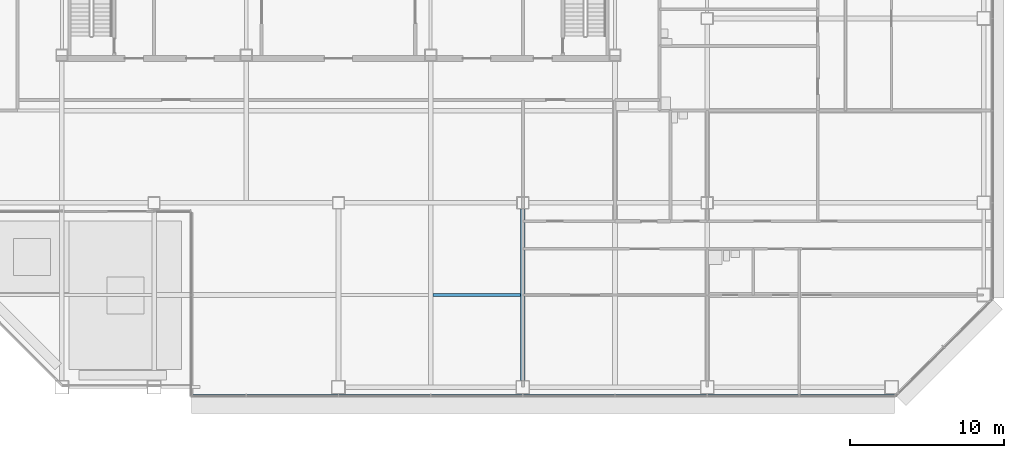
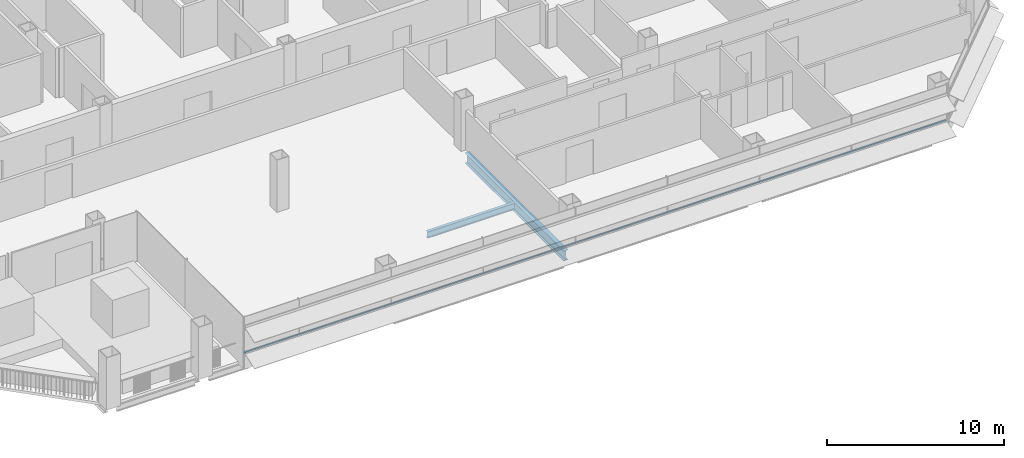
# One storey, part 8 of 28: 2 beams, 1 member, 1 element without a shape of its own.
"""IFC4 building model written with IfcOpenShell, lengths in metres."""

from ifc_helpers import new_model, si_unit, direction, frame, origin, origin_2d, place, context, subcontext, project, spatial, rectangle, i_section, extrude, material, material_profile, profile_set, type_object, element, aggregate, save


model = new_model("IFC4")

# Units and contexts
model_context = context("Model", 3, precision=1e-05, world=origin(), true_north=direction((0.0, 1.0)))
body_context = subcontext(model_context, "Body", "Model", "MODEL_VIEW")
ifc_project = project(units=[si_unit("LENGTHUNIT", "METRE"), si_unit("AREAUNIT", "SQUARE_METRE"), si_unit("VOLUMEUNIT", "CUBIC_METRE"), si_unit("PLANEANGLEUNIT", "RADIAN"), si_unit("MASSUNIT", "GRAM", prefix="KILO")], contexts=[model_context])

# Site, building, storey
site_placement = place(None, origin())
site = spatial("IfcSite", under=ifc_project, at=site_placement, CompositionType="ELEMENT")
building_placement = place(site_placement, origin())
building = spatial("IfcBuilding", under=site, at=building_placement, Name="Sorahane Residences", CompositionType="ELEMENT")
storey_placement = place(building_placement, frame((0.0, 0.0, 60.60009765625)))
storey = spatial("IfcBuildingStorey", under=building, at=storey_placement, Name="L11", CompositionType="ELEMENT", Elevation=60.60009765625)

# Curtain wall, member
ifc_material_1 = material(Name="Dark low-e glass and black anodised aluminium", Category="aluminium")
curtain_wall_type = type_object("IfcCurtainWallType", Name="Curtain wall CW-1 Typical unitised wall", PredefinedType="NOTDEFINED", material=ifc_material_1)
curtain_wall_placement = place(storey_placement, origin())
curtain_wall = element("IfcCurtainWall", 1, at=curtain_wall_placement, inside=storey, type_object=curtain_wall_type, Name="CW-1 curtain wall L11 S2", PredefinedType="NOTDEFINED")
ifc_material_2 = material(Name="Black anodised aluminium", Category="aluminium")
ifc_material_profile_1 = material_profile(ifc_material_2, rectangle(XDim=0.10009765625, YDim=0.06005859375, at=origin_2d()), Name="Curtain wall transom CW-1 black anodised aluminium 60x100")
ifc_profile_set_1 = profile_set([ifc_material_profile_1], Name="Black anodised aluminium")
member_type = type_object("IfcMemberType", Name="Curtain wall transom CW-1 black anodised aluminium 60x100", PredefinedType="USERDEFINED", material=ifc_profile_set_1)
member_placement = place(storey_placement, frame((14.449951171875, -0.530029296875, 0.89990234375), z_axis=(1.0, 0.0, 0.0), x_axis=(0.0, 1.0, 0.0)))
member = element("IfcMember", 2, at=member_placement, type_object=member_type, Name="CW-1 transom L11 S2", ObjectType="TRANSOM", PredefinedType="USERDEFINED", context=body_context, shape_type="SweptSolid", body=[
    extrude(rectangle(XDim=0.10009765625, YDim=0.06005859375, at=origin_2d()), origin(), (0.0, 0.0, 1.0), 45.74853515625),
])
aggregate(curtain_wall, [member])

# Beams
ifc_material_3 = material(Name="Steel Q355B", Category="steel")
ifc_material_profile_2 = material_profile(ifc_material_3, i_section(OverallWidth=0.199951171875, OverallDepth=0.449951171875, WebThickness=0.009033203125, FlangeThickness=0.013916015625, FilletRadius=0.02001953125, at=origin_2d()), Name="HN 450x200x9x14")
ifc_profile_set_2 = profile_set([ifc_material_profile_2], Name="Steel Q355B")
beam_type_1 = type_object("IfcBeamType", Name="Steel floor beam HN 450x200x9x14 Q355B", PredefinedType="BEAM", material=ifc_profile_set_2)
beam_1_placement = place(storey_placement, frame((30.14990234375, 6.0, -0.405029296875), z_axis=(1.0, 0.0, 0.0), x_axis=(0.0, 1.0, 0.0)))
element("IfcBeam", 3, at=beam_1_placement, inside=storey, type_object=beam_type_1, Name="Beam L11 064", PredefinedType="BEAM", context=body_context, shape_type="SweptSolid", body=[
    extrude(i_section(OverallWidth=0.199951171875, OverallDepth=0.449951171875, WebThickness=0.009033203125, FlangeThickness=0.013916015625, FilletRadius=0.02001953125, at=origin_2d()), origin(), (0.0, 0.0, 1.0), 5.7001953125),
])
ifc_material_4 = material(Name="Steel Q355B", Category="steel")
ifc_material_profile_3 = material_profile(ifc_material_4, i_section(OverallWidth=0.300048828125, OverallDepth=0.699951171875, WebThickness=0.012939453125, FlangeThickness=0.02392578125, FilletRadius=0.028076171875, at=origin_2d()), Name="HN 700x300x13x24")
ifc_profile_set_3 = profile_set([ifc_material_profile_3], Name="Steel Q355B")
beam_type_2 = type_object("IfcBeamType", Name="Steel floor beam HN 700x300x13x24 Q355B", PredefinedType="BEAM", material=ifc_profile_set_3)
beam_2_placement = place(storey_placement, frame((36.0, 0.449951171875, -0.530029296875), z_axis=(0.0, 1.0, 0.0), x_axis=(-1.0, 0.0, 0.0)))
element("IfcBeam", 4, at=beam_2_placement, inside=storey, type_object=beam_type_2, Name="Beam L11 042", PredefinedType="BEAM", context=body_context, shape_type="SweptSolid", body=[
    extrude(i_section(OverallWidth=0.300048828125, OverallDepth=0.699951171875, WebThickness=0.012939453125, FlangeThickness=0.02392578125, FilletRadius=0.028076171875, at=origin_2d()), origin(), (0.0, 0.0, 1.0), 11.150146484375),
])

save(model, "model.ifc")
